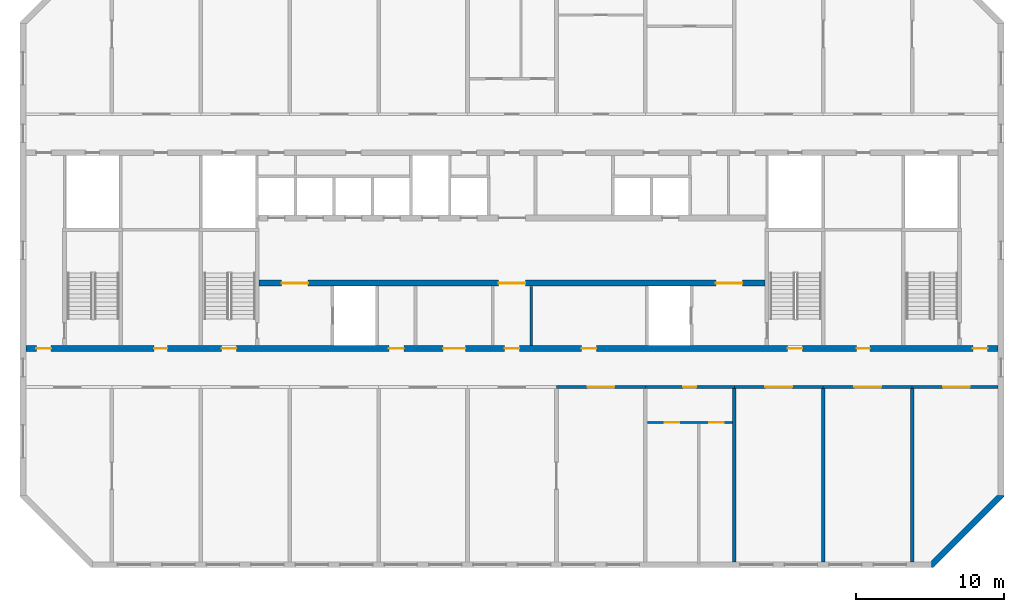
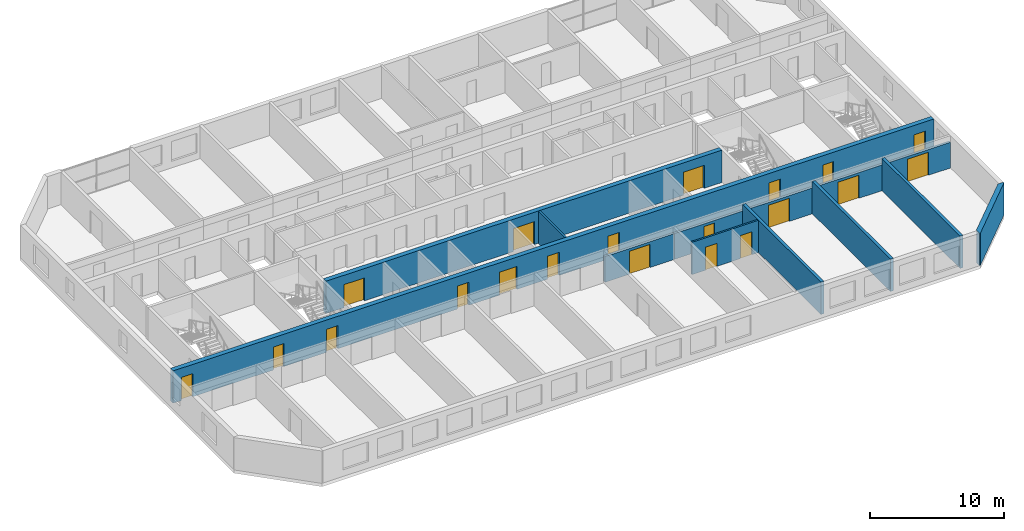
# One storey, part 7 of 13: 20 doors, 13 walls, 20 openings.
"""IFC4 building model written with IfcOpenShell, lengths in metres."""

from ifc_helpers import new_model, si_unit, direction, frame, frame_2d, origin, place, context, subcontext, project, spatial, polyline, rectangle, outline, extrude, material, layer, layer_set, type_object, element, fill, save


model = new_model("IFC4")

# Units and contexts
model_context = context("Model", 3, precision=1e-05, world=origin(), true_north=direction((0.0, 1.0)))
body_context = subcontext(model_context, "Body", "Model", "MODEL_VIEW")
ifc_project = project(units=[si_unit("LENGTHUNIT", "METRE"), si_unit("AREAUNIT", "SQUARE_METRE"), si_unit("VOLUMEUNIT", "CUBIC_METRE"), si_unit("PLANEANGLEUNIT", "RADIAN"), si_unit("MASSUNIT", "GRAM", prefix="KILO")], contexts=[model_context])

# Site, building, storey
site_placement = place(None, origin())
site = spatial("IfcSite", under=ifc_project, at=site_placement, CompositionType="ELEMENT")
building_placement = place(site_placement, origin())
building = spatial("IfcBuilding", under=site, at=building_placement, Name="Poui Terraces", CompositionType="ELEMENT")
storey_placement = place(building_placement, frame((0.0, 0.0, 211.5)))
storey = spatial("IfcBuildingStorey", under=building, at=storey_placement, Name="L59", CompositionType="ELEMENT", Elevation=211.5)

# Wall, openings, doors
ifc_material_1 = material(Name="Concrete 50 MPa", Category="concrete")
ifc_layer_1 = layer(ifc_material_1, 0.39990234375)
ifc_layer_set_1 = layer_set([ifc_layer_1], Name="Concrete 50 MPa")
wall_type_1 = type_object("IfcWallType", Name="CORE WALL 400 50 MPA", PredefinedType="SOLIDWALL", material=ifc_layer_set_1)
wall_1_placement = place(storey_placement, frame((33.925048828125, 19.0, 0.0), z_axis=(0.0, 0.0, 1.0), x_axis=(1.0, 0.0, 0.0)))
wall_1 = element("IfcWall", 1, at=wall_1_placement, inside=storey, type_object=wall_type_1, Name="CORE WALL", PredefinedType="SOLIDWALL", context=body_context, shape_type="SweptSolid", body=[
    extrude(rectangle(XDim=34.14990234375, YDim=0.39990234375, at=frame_2d((17.074951171875, 0.0))), origin(), (0.0, 0.0, 1.0), 2.949951171875),
])
opening_1_placement = place(wall_1_placement, frame((16.175048828125, 0.0, 0.0)))
opening_1 = element("IfcOpeningElement", 2, at=opening_1_placement, cuts=wall_1, Name="Opening FDD60", PredefinedType="OPENING", context=body_context, shape_type="SweptSolid", body=[
    extrude(rectangle(XDim=1.800048828125, YDim=2.10009765625, at=frame_2d((0.89990234375, 1.050048828125))), frame((0.0, 0.2099609375, 0.0), z_axis=(0.0, -1.0, 0.0), x_axis=(1.0, 0.0, 0.0)), (0.0, 0.0, 1.0), 0.419921875),
])
opening_2_placement = place(wall_1_placement, frame((1.52490234375, 0.0, 0.0)))
opening_2 = element("IfcOpeningElement", 3, at=opening_2_placement, cuts=wall_1, Name="Opening FDD60", PredefinedType="OPENING", context=body_context, shape_type="SweptSolid", body=[
    extrude(rectangle(XDim=1.800048828125, YDim=2.10009765625, at=frame_2d((0.89990234375, 1.050048828125))), frame((0.0, 0.2099609375, 0.0), z_axis=(0.0, -1.0, 0.0), x_axis=(1.0, 0.0, 0.0)), (0.0, 0.0, 1.0), 0.419921875),
])
opening_3_placement = place(wall_1_placement, frame((30.824951171875, 0.0, 0.0)))
opening_3 = element("IfcOpeningElement", 4, at=opening_3_placement, cuts=wall_1, Name="Opening FDD60", PredefinedType="OPENING", context=body_context, shape_type="SweptSolid", body=[
    extrude(rectangle(XDim=1.800048828125, YDim=2.10009765625, at=frame_2d((0.89990234375, 1.050048828125))), frame((0.0, 0.2099609375, 0.0), z_axis=(0.0, -1.0, 0.0), x_axis=(1.0, 0.0, 0.0)), (0.0, 0.0, 1.0), 0.419921875),
])
ifc_material_2 = material(Name="Steel fire door", Category="steel")
door_type_1 = type_object("IfcDoorType", Name="DOUBLE LOBBY FIRE DOOR 1800 X 2100", OperationType="DOUBLE_DOOR_SINGLE_SWING", PredefinedType="DOOR", material=ifc_material_2)
door_1_placement = place(opening_1_placement, frame((1.800048828125, 0.0, 0.0), z_axis=(0.0, 0.0, 1.0), x_axis=(-1.0, 0.0, 0.0)))
door_1 = element("IfcDoor", 5, at=door_1_placement, inside=storey, type_object=door_type_1, Name="DOUBLE LOBBY FIRE DOOR 065", OperationType="DOUBLE_DOOR_SINGLE_SWING", OverallHeight=2.10009765625, OverallWidth=1.800048828125, PredefinedType="DOOR", context=body_context, shape_type="SweptSolid", body=[
    extrude(rectangle(XDim=1.800048828125, YDim=2.10009765625, at=frame_2d((0.89990234375, 1.050048828125))), frame((0.0, 0.02490234375, 0.0), z_axis=(0.0, -1.0, 0.0), x_axis=(1.0, 0.0, 0.0)), (0.0, 0.0, 1.0), 0.050048828125),
])
fill(opening_1, door_1)
door_2_placement = place(opening_2_placement, origin())
door_2 = element("IfcDoor", 6, at=door_2_placement, inside=storey, type_object=door_type_1, Name="DOUBLE LOBBY FIRE DOOR 067", OperationType="DOUBLE_DOOR_SINGLE_SWING", OverallHeight=2.10009765625, OverallWidth=1.800048828125, PredefinedType="DOOR", context=body_context, shape_type="SweptSolid", body=[
    extrude(rectangle(XDim=1.800048828125, YDim=2.10009765625, at=frame_2d((0.89990234375, 1.050048828125))), frame((0.0, 0.02490234375, 0.0), z_axis=(0.0, -1.0, 0.0), x_axis=(1.0, 0.0, 0.0)), (0.0, 0.0, 1.0), 0.050048828125),
])
fill(opening_2, door_2)
door_3_placement = place(opening_3_placement, origin())
door_3 = element("IfcDoor", 7, at=door_3_placement, inside=storey, type_object=door_type_1, Name="DOUBLE LOBBY FIRE DOOR 074", OperationType="DOUBLE_DOOR_SINGLE_SWING", OverallHeight=2.10009765625, OverallWidth=1.800048828125, PredefinedType="DOOR", context=body_context, shape_type="SweptSolid", body=[
    extrude(rectangle(XDim=1.800048828125, YDim=2.10009765625, at=frame_2d((0.89990234375, 1.050048828125))), frame((0.0, 0.02490234375, 0.0), z_axis=(0.0, -1.0, 0.0), x_axis=(1.0, 0.0, 0.0)), (0.0, 0.0, 1.0), 0.050048828125),
])
fill(opening_3, door_3)

ifc_material_3 = material(Name="Fire-rated plasterboard wall")
ifc_layer_2 = layer(ifc_material_3, 0.14990234375)
ifc_layer_set_2 = layer_set([ifc_layer_2], Name="Fire-rated plasterboard wall")
wall_type_2 = type_object("IfcWallType", Name="CORRIDOR WALL 150", PredefinedType="PARTITIONING", material=ifc_layer_set_2)
wall_2_placement = place(storey_placement, frame((60.135009765625, 9.60009765625, 0.0), z_axis=(0.0, 0.0, 1.0), x_axis=(1.0, 0.0, 0.0)))
wall_2 = element("IfcWall", 8, at=wall_2_placement, inside=storey, type_object=wall_type_2, Name="CORRIDOR WALL 150", PredefinedType="PARTITIONING", context=body_context, shape_type="SweptSolid", body=[
    extrude(rectangle(XDim=5.72998046875, YDim=0.14990234375, at=frame_2d((2.864990234375, 0.0))), origin(), (0.0, 0.0, 1.0), 2.949951171875),
])
opening_4_placement = place(wall_2_placement, frame((1.1650390625, 0.0, 0.0)))
opening_4 = element("IfcOpeningElement", 9, at=opening_4_placement, cuts=wall_2, Name="Opening D100", PredefinedType="OPENING", context=body_context, shape_type="SweptSolid", body=[
    extrude(rectangle(XDim=1.0, YDim=2.10009765625, at=frame_2d((0.5, 1.050048828125))), frame((0.0, 0.0849609375, 0.0), z_axis=(0.0, -1.0, 0.0), x_axis=(1.0, 0.0, 0.0)), (0.0, 0.0, 1.0), 0.169921875),
])
opening_5_placement = place(wall_2_placement, frame((4.1650390625, 0.0, 0.0)))
opening_5 = element("IfcOpeningElement", 10, at=opening_5_placement, cuts=wall_2, Name="Opening D100", PredefinedType="OPENING", context=body_context, shape_type="SweptSolid", body=[
    extrude(rectangle(XDim=1.0, YDim=2.10009765625, at=frame_2d((0.5, 1.050048828125))), frame((0.0, 0.0849609375, 0.0), z_axis=(0.0, -1.0, 0.0), x_axis=(1.0, 0.0, 0.0)), (0.0, 0.0, 1.0), 0.169921875),
])
ifc_material_4 = material(Name="Solid core timber door", Category="wood")
door_type_2 = type_object("IfcDoorType", Name="ACCESSIBLE INTERNAL DOOR 1000 X 2100", OperationType="NOTDEFINED", PredefinedType="DOOR", material=ifc_material_4)
door_4_placement = place(opening_4_placement, origin())
door_4 = element("IfcDoor", 11, at=door_4_placement, inside=storey, type_object=door_type_2, Name="ACCESSIBLE INTERNAL DOOR 058", OperationType="SINGLE_SWING_RIGHT", OverallHeight=2.10009765625, OverallWidth=1.0, PredefinedType="DOOR", context=body_context, shape_type="SweptSolid", body=[
    extrude(rectangle(XDim=1.0, YDim=2.10009765625, at=frame_2d((0.5, 1.050048828125))), frame((0.0, 0.02490234375, 0.0), z_axis=(0.0, -1.0, 0.0), x_axis=(1.0, 0.0, 0.0)), (0.0, 0.0, 1.0), 0.050048828125),
])
fill(opening_4, door_4)
door_5_placement = place(opening_5_placement, origin())
door_5 = element("IfcDoor", 12, at=door_5_placement, inside=storey, type_object=door_type_2, Name="ACCESSIBLE INTERNAL DOOR 059", OperationType="SINGLE_SWING_LEFT", OverallHeight=2.10009765625, OverallWidth=1.0, PredefinedType="DOOR", context=body_context, shape_type="SweptSolid", body=[
    extrude(rectangle(XDim=1.0, YDim=2.10009765625, at=frame_2d((0.5, 1.050048828125))), frame((0.0, 0.02490234375, 0.0), z_axis=(0.0, -1.0, 0.0), x_axis=(1.0, 0.0, 0.0)), (0.0, 0.0, 1.0), 0.050048828125),
])
fill(opening_5, door_5)

# Wall
wall_3_placement = place(storey_placement, frame((52.300048828125, 14.81005859375, 0.0), z_axis=(0.0, 0.0, 1.0), x_axis=(0.0, 1.0, 0.0)))
element("IfcWall", 13, at=wall_3_placement, inside=storey, type_object=wall_type_2, Name="CORRIDOR WALL 150", PredefinedType="PARTITIONING", context=body_context, shape_type="SweptSolid", body=[
    extrude(rectangle(XDim=3.97998046875, YDim=0.14990234375, at=frame_2d((1.989990234375, 0.0))), origin(), (0.0, 0.0, 1.0), 2.949951171875),
])

# Wall, opening, door
ifc_layer_3 = layer(ifc_material_1, 0.199951171875)
ifc_layer_set_3 = layer_set([ifc_layer_3], Name="Concrete 50 MPa")
wall_type_3 = type_object("IfcWallType", Name="CORRIDOR WALL 200 50MPa", PredefinedType="SHEAR", material=ifc_layer_set_3)
wall_4_placement = place(storey_placement, frame((54.0, 12.0, 0.0), z_axis=(0.0, 0.0, 1.0), x_axis=(1.0, 0.0, 0.0)))
wall_4 = element("IfcWall", 14, at=wall_4_placement, inside=storey, type_object=wall_type_3, Name="CORRIDOR WALL LINE B BAY 7", PredefinedType="SHEAR", context=body_context, shape_type="SweptSolid", body=[
    extrude(rectangle(XDim=6.0, YDim=0.199951171875, at=frame_2d((3.0, 0.0))), origin(), (0.0, 0.0, 1.0), 2.35009765625),
])
opening_6_placement = place(wall_4_placement, frame((2.10009765625, 0.0, 0.0)))
opening_6 = element("IfcOpeningElement", 15, at=opening_6_placement, cuts=wall_4, Name="Opening DD180", PredefinedType="OPENING", context=body_context, shape_type="SweptSolid", body=[
    extrude(rectangle(XDim=1.800048828125, YDim=2.10009765625, at=frame_2d((0.89990234375, 1.050048828125))), frame((0.0, 0.10986328125, 0.0), z_axis=(0.0, -1.0, 0.0), x_axis=(1.0, 0.0, 0.0)), (0.0, 0.0, 1.0), 0.219970703125),
])
door_type_3 = type_object("IfcDoorType", Name="DOUBLE INTERNAL DOOR 1800 X 2100", OperationType="DOUBLE_DOOR_SINGLE_SWING", PredefinedType="DOOR", material=ifc_material_2)
door_6_placement = place(opening_6_placement, origin())
door_6 = element("IfcDoor", 16, at=door_6_placement, inside=storey, type_object=door_type_3, Name="DOUBLE INTERNAL DOOR 041", OperationType="DOUBLE_DOOR_SINGLE_SWING", OverallHeight=2.10009765625, OverallWidth=1.800048828125, PredefinedType="DOOR", context=body_context, shape_type="SweptSolid", body=[
    extrude(rectangle(XDim=1.800048828125, YDim=2.10009765625, at=frame_2d((0.89990234375, 1.050048828125))), frame((0.0, 0.02490234375, 0.0), z_axis=(0.0, -1.0, 0.0), x_axis=(1.0, 0.0, 0.0)), (0.0, 0.0, 1.0), 0.050048828125),
])
fill(opening_6, door_6)

wall_5_placement = place(storey_placement, frame((60.0, 12.0, 0.0), z_axis=(0.0, 0.0, 1.0), x_axis=(1.0, 0.0, 0.0)))
wall_5 = element("IfcWall", 17, at=wall_5_placement, inside=storey, type_object=wall_type_3, Name="CORRIDOR WALL LINE B BAY 8", PredefinedType="SHEAR", context=body_context, shape_type="SweptSolid", body=[
    extrude(rectangle(XDim=6.0, YDim=0.199951171875, at=frame_2d((3.0, 0.0))), origin(), (0.0, 0.0, 1.0), 2.35009765625),
])
opening_7_placement = place(wall_5_placement, frame((2.550048828125, 0.0, 0.0)))
opening_7 = element("IfcOpeningElement", 18, at=opening_7_placement, cuts=wall_5, Name="Opening D90", PredefinedType="OPENING", context=body_context, shape_type="SweptSolid", body=[
    extrude(rectangle(XDim=0.89990234375, YDim=2.10009765625, at=frame_2d((0.449951171875, 1.050048828125))), frame((0.0, 0.10986328125, 0.0), z_axis=(0.0, -1.0, 0.0), x_axis=(1.0, 0.0, 0.0)), (0.0, 0.0, 1.0), 0.219970703125),
])
door_type_4 = type_object("IfcDoorType", Name="INTERNAL DOOR 900 X 2100", OperationType="NOTDEFINED", PredefinedType="DOOR", material=ifc_material_4)
door_7_placement = place(opening_7_placement, origin())
door_7 = element("IfcDoor", 19, at=door_7_placement, inside=storey, type_object=door_type_4, Name="INTERNAL DOOR 042", OperationType="SINGLE_SWING_RIGHT", OverallHeight=2.10009765625, OverallWidth=0.89990234375, PredefinedType="DOOR", context=body_context, shape_type="SweptSolid", body=[
    extrude(rectangle(XDim=0.89990234375, YDim=2.10009765625, at=frame_2d((0.449951171875, 1.050048828125))), frame((0.0, 0.02490234375, 0.0), z_axis=(0.0, -1.0, 0.0), x_axis=(1.0, 0.0, 0.0)), (0.0, 0.0, 1.0), 0.050048828125),
])
fill(opening_7, door_7)

wall_6_placement = place(storey_placement, frame((66.0, 12.0, 0.0), z_axis=(0.0, 0.0, 1.0), x_axis=(1.0, 0.0, 0.0)))
wall_6 = element("IfcWall", 20, at=wall_6_placement, inside=storey, type_object=wall_type_3, Name="CORRIDOR WALL LINE B BAY 9", PredefinedType="SHEAR", context=body_context, shape_type="SweptSolid", body=[
    extrude(rectangle(XDim=6.0, YDim=0.199951171875, at=frame_2d((3.0, 0.0))), origin(), (0.0, 0.0, 1.0), 2.35009765625),
])
opening_8_placement = place(wall_6_placement, frame((2.10009765625, 0.0, 0.0)))
opening_8 = element("IfcOpeningElement", 21, at=opening_8_placement, cuts=wall_6, Name="Opening DD180", PredefinedType="OPENING", context=body_context, shape_type="SweptSolid", body=[
    extrude(rectangle(XDim=1.800048828125, YDim=2.10009765625, at=frame_2d((0.89990234375, 1.050048828125))), frame((0.0, 0.10986328125, 0.0), z_axis=(0.0, -1.0, 0.0), x_axis=(1.0, 0.0, 0.0)), (0.0, 0.0, 1.0), 0.219970703125),
])
door_8_placement = place(opening_8_placement, origin())
door_8 = element("IfcDoor", 22, at=door_8_placement, inside=storey, type_object=door_type_3, Name="DOUBLE INTERNAL DOOR 043", OperationType="DOUBLE_DOOR_SINGLE_SWING", OverallHeight=2.10009765625, OverallWidth=1.800048828125, PredefinedType="DOOR", context=body_context, shape_type="SweptSolid", body=[
    extrude(rectangle(XDim=1.800048828125, YDim=2.10009765625, at=frame_2d((0.89990234375, 1.050048828125))), frame((0.0, 0.02490234375, 0.0), z_axis=(0.0, -1.0, 0.0), x_axis=(1.0, 0.0, 0.0)), (0.0, 0.0, 1.0), 0.050048828125),
])
fill(opening_8, door_8)

wall_7_placement = place(storey_placement, frame((72.0, 12.0, 0.0), z_axis=(0.0, 0.0, 1.0), x_axis=(1.0, 0.0, 0.0)))
wall_7 = element("IfcWall", 23, at=wall_7_placement, inside=storey, type_object=wall_type_3, Name="CORRIDOR WALL LINE B BAY 10", PredefinedType="SHEAR", context=body_context, shape_type="SweptSolid", body=[
    extrude(rectangle(XDim=6.0, YDim=0.199951171875, at=frame_2d((3.0, 0.0))), origin(), (0.0, 0.0, 1.0), 2.35009765625),
])
opening_9_placement = place(wall_7_placement, frame((2.10009765625, 0.0, 0.0)))
opening_9 = element("IfcOpeningElement", 24, at=opening_9_placement, cuts=wall_7, Name="Opening DD180", PredefinedType="OPENING", context=body_context, shape_type="SweptSolid", body=[
    extrude(rectangle(XDim=1.800048828125, YDim=2.10009765625, at=frame_2d((0.89990234375, 1.050048828125))), frame((0.0, 0.10986328125, 0.0), z_axis=(0.0, -1.0, 0.0), x_axis=(1.0, 0.0, 0.0)), (0.0, 0.0, 1.0), 0.219970703125),
])
door_9_placement = place(opening_9_placement, origin())
door_9 = element("IfcDoor", 25, at=door_9_placement, inside=storey, type_object=door_type_3, Name="DOUBLE INTERNAL DOOR 046", OperationType="DOUBLE_DOOR_SINGLE_SWING", OverallHeight=2.10009765625, OverallWidth=1.800048828125, PredefinedType="DOOR", context=body_context, shape_type="SweptSolid", body=[
    extrude(rectangle(XDim=1.800048828125, YDim=2.10009765625, at=frame_2d((0.89990234375, 1.050048828125))), frame((0.0, 0.02490234375, 0.0), z_axis=(0.0, -1.0, 0.0), x_axis=(1.0, 0.0, 0.0)), (0.0, 0.0, 1.0), 0.050048828125),
])
fill(opening_9, door_9)

wall_8_placement = place(storey_placement, frame((78.0, 12.0, 0.0), z_axis=(0.0, 0.0, 1.0), x_axis=(1.0, 0.0, 0.0)))
wall_8 = element("IfcWall", 26, at=wall_8_placement, inside=storey, type_object=wall_type_3, Name="CORRIDOR WALL LINE B BAY 11", PredefinedType="SHEAR", context=body_context, shape_type="SweptSolid", body=[
    extrude(rectangle(XDim=5.800048828125, YDim=0.199951171875, at=frame_2d((2.89990234375, 0.0))), origin(), (0.0, 0.0, 1.0), 2.35009765625),
])
opening_10_placement = place(wall_8_placement, frame((2.10009765625, 0.0, 0.0)))
opening_10 = element("IfcOpeningElement", 27, at=opening_10_placement, cuts=wall_8, Name="Opening DD180", PredefinedType="OPENING", context=body_context, shape_type="SweptSolid", body=[
    extrude(rectangle(XDim=1.800048828125, YDim=2.10009765625, at=frame_2d((0.89990234375, 1.050048828125))), frame((0.0, 0.10986328125, 0.0), z_axis=(0.0, -1.0, 0.0), x_axis=(1.0, 0.0, 0.0)), (0.0, 0.0, 1.0), 0.219970703125),
])
door_10_placement = place(opening_10_placement, origin())
door_10 = element("IfcDoor", 28, at=door_10_placement, inside=storey, type_object=door_type_3, Name="DOUBLE INTERNAL DOOR 047", OperationType="DOUBLE_DOOR_SINGLE_SWING", OverallHeight=2.10009765625, OverallWidth=1.800048828125, PredefinedType="DOOR", context=body_context, shape_type="SweptSolid", body=[
    extrude(rectangle(XDim=1.800048828125, YDim=2.10009765625, at=frame_2d((0.89990234375, 1.050048828125))), frame((0.0, 0.02490234375, 0.0), z_axis=(0.0, -1.0, 0.0), x_axis=(1.0, 0.0, 0.0)), (0.0, 0.0, 1.0), 0.050048828125),
])
fill(opening_10, door_10)

# Walls
ifc_layer_4 = layer(ifc_material_1, 0.25)
ifc_layer_set_4 = layer_set([ifc_layer_4], Name="Concrete 50 MPa")
wall_type_4 = type_object("IfcWallType", Name="CROSS WALL 250 50MPa", PredefinedType="SHEAR", material=ifc_layer_set_4)
for number, where, z_axis, x_axis, name in (
    (29, (66.0, 0.199951171875, 0.0), (0.0, 0.0, 1.0), (0.0, 1.0, 0.0), "CROSS WALL LINE 12 SOUTH"),
    (30, (72.0, 0.199951171875, 0.0), (0.0, 0.0, 1.0), (0.0, 1.0, 0.0), "CROSS WALL LINE 13 SOUTH"),
    (31, (78.0, 0.199951171875, 0.0), (0.0, 0.0, 1.0), (0.0, 1.0, 0.0), "CROSS WALL LINE 14 SOUTH"),
):
    element("IfcWall", number, at=place(storey_placement, frame(where, z_axis=z_axis, x_axis=x_axis)), inside=storey, type_object=wall_type_4, Name=name, PredefinedType="SHEAR", context=body_context, shape_type="SweptSolid", body=[
        extrude(rectangle(XDim=11.699951171875, YDim=0.25, at=frame_2d((5.85009765625, 0.0))), origin(), (0.0, 0.0, 1.0), 2.949951171875),
    ])

# Wall, openings, doors
ifc_layer_5 = layer(ifc_material_1, 0.39990234375)
ifc_layer_set_5 = layer_set([ifc_layer_5], Name="Concrete 50 MPa")
wall_type_5 = type_object("IfcWallType", Name="SPINE WALL 400 50 MPA", PredefinedType="SOLIDWALL", material=ifc_layer_set_5)
wall_9_placement = place(storey_placement, frame((18.199951171875, 14.60009765625, 0.0), z_axis=(0.0, 0.0, 1.0), x_axis=(1.0, 0.0, 0.0)))
wall_9 = element("IfcWall", 32, at=wall_9_placement, inside=storey, type_object=wall_type_5, Name="SPINE WALL", PredefinedType="SOLIDWALL", context=body_context, shape_type="SweptSolid", body=[
    extrude(rectangle(XDim=65.60009765625, YDim=0.39990234375, at=frame_2d((32.800048828125, 0.0))), origin(), (0.0, 0.0, 1.0), 2.949951171875),
])
opening_11_placement = place(wall_9_placement, frame((0.699951171875, 0.0, 0.0)))
opening_11 = element("IfcOpeningElement", 33, at=opening_11_placement, cuts=wall_9, Name="Opening FDL", PredefinedType="OPENING", context=body_context, shape_type="SweptSolid", body=[
    extrude(rectangle(XDim=1.0, YDim=2.10009765625, at=frame_2d((0.5, 1.050048828125))), frame((0.0, 0.2099609375, 0.0), z_axis=(0.0, -1.0, 0.0), x_axis=(1.0, 0.0, 0.0)), (0.0, 0.0, 1.0), 0.419921875),
])
opening_12_placement = place(wall_9_placement, frame((8.64990234375, 0.0, 0.0)))
opening_12 = element("IfcOpeningElement", 34, at=opening_12_placement, cuts=wall_9, Name="Opening D90", PredefinedType="OPENING", context=body_context, shape_type="SweptSolid", body=[
    extrude(rectangle(XDim=0.89990234375, YDim=2.10009765625, at=frame_2d((0.449951171875, 1.050048828125))), frame((0.0, 0.2099609375, 0.0), z_axis=(0.0, -1.0, 0.0), x_axis=(1.0, 0.0, 0.0)), (0.0, 0.0, 1.0), 0.419921875),
])
opening_13_placement = place(wall_9_placement, frame((13.199951171875, 0.0, 0.0)))
opening_13 = element("IfcOpeningElement", 35, at=opening_13_placement, cuts=wall_9, Name="Opening FD60S", PredefinedType="OPENING", context=body_context, shape_type="SweptSolid", body=[
    extrude(rectangle(XDim=1.0, YDim=2.10009765625, at=frame_2d((0.5, 1.050048828125))), frame((0.0, 0.2099609375, 0.0), z_axis=(0.0, -1.0, 0.0), x_axis=(1.0, 0.0, 0.0)), (0.0, 0.0, 1.0), 0.419921875),
])
opening_14_placement = place(wall_9_placement, frame((24.5, 0.0, 0.0)))
opening_14 = element("IfcOpeningElement", 36, at=opening_14_placement, cuts=wall_9, Name="Opening FD60", PredefinedType="OPENING", context=body_context, shape_type="SweptSolid", body=[
    extrude(rectangle(XDim=1.0, YDim=2.10009765625, at=frame_2d((0.5, 1.050048828125))), frame((0.0, 0.2099609375, 0.0), z_axis=(0.0, -1.0, 0.0), x_axis=(1.0, 0.0, 0.0)), (0.0, 0.0, 1.0), 0.419921875),
])
opening_15_placement = place(wall_9_placement, frame((28.14990234375, 0.0, 0.0)))
opening_15 = element("IfcOpeningElement", 37, at=opening_15_placement, cuts=wall_9, Name="Opening FDP", PredefinedType="OPENING", context=body_context, shape_type="SweptSolid", body=[
    extrude(rectangle(XDim=1.5, YDim=2.10009765625, at=frame_2d((0.75, 1.050048828125))), frame((0.0, 0.2099609375, 0.0), z_axis=(0.0, -1.0, 0.0), x_axis=(1.0, 0.0, 0.0)), (0.0, 0.0, 1.0), 0.419921875),
])
opening_16_placement = place(wall_9_placement, frame((32.300048828125, 0.0, 0.0)))
opening_16 = element("IfcOpeningElement", 38, at=opening_16_placement, cuts=wall_9, Name="Opening FDL", PredefinedType="OPENING", context=body_context, shape_type="SweptSolid", body=[
    extrude(rectangle(XDim=1.0, YDim=2.10009765625, at=frame_2d((0.5, 1.050048828125))), frame((0.0, 0.2099609375, 0.0), z_axis=(0.0, -1.0, 0.0), x_axis=(1.0, 0.0, 0.0)), (0.0, 0.0, 1.0), 0.419921875),
])
opening_17_placement = place(wall_9_placement, frame((37.5, 0.0, 0.0)))
opening_17 = element("IfcOpeningElement", 39, at=opening_17_placement, cuts=wall_9, Name="Opening FD60", PredefinedType="OPENING", context=body_context, shape_type="SweptSolid", body=[
    extrude(rectangle(XDim=1.0, YDim=2.10009765625, at=frame_2d((0.5, 1.050048828125))), frame((0.0, 0.2099609375, 0.0), z_axis=(0.0, -1.0, 0.0), x_axis=(1.0, 0.0, 0.0)), (0.0, 0.0, 1.0), 0.419921875),
])
opening_18_placement = place(wall_9_placement, frame((51.39990234375, 0.0, 0.0)))
opening_18 = element("IfcOpeningElement", 40, at=opening_18_placement, cuts=wall_9, Name="Opening FD60S", PredefinedType="OPENING", context=body_context, shape_type="SweptSolid", body=[
    extrude(rectangle(XDim=1.0, YDim=2.10009765625, at=frame_2d((0.5, 1.050048828125))), frame((0.0, 0.2099609375, 0.0), z_axis=(0.0, -1.0, 0.0), x_axis=(1.0, 0.0, 0.0)), (0.0, 0.0, 1.0), 0.419921875),
])
opening_19_placement = place(wall_9_placement, frame((56.050048828125, 0.0, 0.0)))
opening_19 = element("IfcOpeningElement", 41, at=opening_19_placement, cuts=wall_9, Name="Opening D90", PredefinedType="OPENING", context=body_context, shape_type="SweptSolid", body=[
    extrude(rectangle(XDim=0.89990234375, YDim=2.10009765625, at=frame_2d((0.449951171875, 1.050048828125))), frame((0.0, 0.2099609375, 0.0), z_axis=(0.0, -1.0, 0.0), x_axis=(1.0, 0.0, 0.0)), (0.0, 0.0, 1.0), 0.419921875),
])
opening_20_placement = place(wall_9_placement, frame((63.89990234375, 0.0, 0.0)))
opening_20 = element("IfcOpeningElement", 42, at=opening_20_placement, cuts=wall_9, Name="Opening FDL", PredefinedType="OPENING", context=body_context, shape_type="SweptSolid", body=[
    extrude(rectangle(XDim=1.0, YDim=2.10009765625, at=frame_2d((0.5, 1.050048828125))), frame((0.0, 0.2099609375, 0.0), z_axis=(0.0, -1.0, 0.0), x_axis=(1.0, 0.0, 0.0)), (0.0, 0.0, 1.0), 0.419921875),
])
door_11_placement = place(opening_12_placement, frame((0.89990234375, 0.0, 0.0), z_axis=(0.0, 0.0, 1.0), x_axis=(-1.0, 0.0, 0.0)))
door_11 = element("IfcDoor", 43, at=door_11_placement, inside=storey, type_object=door_type_4, Name="INTERNAL DOOR 031", OperationType="SINGLE_SWING_LEFT", OverallHeight=2.10009765625, OverallWidth=0.89990234375, PredefinedType="DOOR", context=body_context, shape_type="SweptSolid", body=[
    extrude(rectangle(XDim=0.89990234375, YDim=2.10009765625, at=frame_2d((0.449951171875, 1.050048828125))), frame((0.0, 0.02490234375, 0.0), z_axis=(0.0, -1.0, 0.0), x_axis=(1.0, 0.0, 0.0)), (0.0, 0.0, 1.0), 0.050048828125),
])
fill(opening_12, door_11)
door_12_placement = place(opening_19_placement, frame((0.89990234375, 0.0, 0.0), z_axis=(0.0, 0.0, 1.0), x_axis=(-1.0, 0.0, 0.0)))
door_12 = element("IfcDoor", 44, at=door_12_placement, inside=storey, type_object=door_type_4, Name="INTERNAL DOOR 045", OperationType="SINGLE_SWING_LEFT", OverallHeight=2.10009765625, OverallWidth=0.89990234375, PredefinedType="DOOR", context=body_context, shape_type="SweptSolid", body=[
    extrude(rectangle(XDim=0.89990234375, YDim=2.10009765625, at=frame_2d((0.449951171875, 1.050048828125))), frame((0.0, 0.02490234375, 0.0), z_axis=(0.0, -1.0, 0.0), x_axis=(1.0, 0.0, 0.0)), (0.0, 0.0, 1.0), 0.050048828125),
])
fill(opening_19, door_12)
door_type_5 = type_object("IfcDoorType", Name="LOBBY FIRE DOOR 1000 X 2100", OperationType="NOTDEFINED", PredefinedType="DOOR", material=ifc_material_2)
door_13_placement = place(opening_11_placement, frame((1.0, 0.0, 0.0), z_axis=(0.0, 0.0, 1.0), x_axis=(-1.0, 0.0, 0.0)))
door_13 = element("IfcDoor", 45, at=door_13_placement, inside=storey, type_object=door_type_5, Name="LOBBY FIRE DOOR 028", OperationType="SINGLE_SWING_RIGHT", OverallHeight=2.10009765625, OverallWidth=1.0, PredefinedType="DOOR", context=body_context, shape_type="SweptSolid", body=[
    extrude(rectangle(XDim=1.0, YDim=2.10009765625, at=frame_2d((0.5, 1.050048828125))), frame((0.0, 0.02490234375, 0.0), z_axis=(0.0, -1.0, 0.0), x_axis=(1.0, 0.0, 0.0)), (0.0, 0.0, 1.0), 0.050048828125),
])
fill(opening_11, door_13)
door_14_placement = place(opening_16_placement, frame((1.0, 0.0, 0.0), z_axis=(0.0, 0.0, 1.0), x_axis=(-1.0, 0.0, 0.0)))
door_14 = element("IfcDoor", 46, at=door_14_placement, inside=storey, type_object=door_type_5, Name="LOBBY FIRE DOOR 039", OperationType="SINGLE_SWING_LEFT", OverallHeight=2.10009765625, OverallWidth=1.0, PredefinedType="DOOR", context=body_context, shape_type="SweptSolid", body=[
    extrude(rectangle(XDim=1.0, YDim=2.10009765625, at=frame_2d((0.5, 1.050048828125))), frame((0.0, 0.02490234375, 0.0), z_axis=(0.0, -1.0, 0.0), x_axis=(1.0, 0.0, 0.0)), (0.0, 0.0, 1.0), 0.050048828125),
])
fill(opening_16, door_14)
door_15_placement = place(opening_20_placement, frame((1.0, 0.0, 0.0), z_axis=(0.0, 0.0, 1.0), x_axis=(-1.0, 0.0, 0.0)))
door_15 = element("IfcDoor", 47, at=door_15_placement, inside=storey, type_object=door_type_5, Name="LOBBY FIRE DOOR 048", OperationType="SINGLE_SWING_LEFT", OverallHeight=2.10009765625, OverallWidth=1.0, PredefinedType="DOOR", context=body_context, shape_type="SweptSolid", body=[
    extrude(rectangle(XDim=1.0, YDim=2.10009765625, at=frame_2d((0.5, 1.050048828125))), frame((0.0, 0.02490234375, 0.0), z_axis=(0.0, -1.0, 0.0), x_axis=(1.0, 0.0, 0.0)), (0.0, 0.0, 1.0), 0.050048828125),
])
fill(opening_20, door_15)
door_type_6 = type_object("IfcDoorType", Name="PLANT ROOM DOOR PAIR 1500 X 2100", OperationType="DOUBLE_DOOR_SINGLE_SWING", PredefinedType="DOOR", material=ifc_material_2)
door_16_placement = place(opening_15_placement, frame((1.5, 0.0, 0.0), z_axis=(0.0, 0.0, 1.0), x_axis=(-1.0, 0.0, 0.0)))
door_16 = element("IfcDoor", 48, at=door_16_placement, inside=storey, type_object=door_type_6, Name="PLANT ROOM DOOR PAIR 037", OperationType="DOUBLE_DOOR_SINGLE_SWING", OverallHeight=2.10009765625, OverallWidth=1.5, PredefinedType="DOOR", context=body_context, shape_type="SweptSolid", body=[
    extrude(rectangle(XDim=1.5, YDim=2.10009765625, at=frame_2d((0.75, 1.050048828125))), frame((0.0, 0.02490234375, 0.0), z_axis=(0.0, -1.0, 0.0), x_axis=(1.0, 0.0, 0.0)), (0.0, 0.0, 1.0), 0.050048828125),
])
fill(opening_15, door_16)
door_type_7 = type_object("IfcDoorType", Name="SERVICE ROOM FIRE DOOR 1000 X 2100", OperationType="NOTDEFINED", PredefinedType="DOOR", material=ifc_material_2)
door_17_placement = place(opening_14_placement, frame((1.0, 0.0, 0.0), z_axis=(0.0, 0.0, 1.0), x_axis=(-1.0, 0.0, 0.0)))
door_17 = element("IfcDoor", 49, at=door_17_placement, inside=storey, type_object=door_type_7, Name="SERVICE ROOM FIRE DOOR 035", OperationType="SINGLE_SWING_LEFT", OverallHeight=2.10009765625, OverallWidth=1.0, PredefinedType="DOOR", context=body_context, shape_type="SweptSolid", body=[
    extrude(rectangle(XDim=1.0, YDim=2.10009765625, at=frame_2d((0.5, 1.050048828125))), frame((0.0, 0.02490234375, 0.0), z_axis=(0.0, -1.0, 0.0), x_axis=(1.0, 0.0, 0.0)), (0.0, 0.0, 1.0), 0.050048828125),
])
fill(opening_14, door_17)
door_18_placement = place(opening_17_placement, frame((1.0, 0.0, 0.0), z_axis=(0.0, 0.0, 1.0), x_axis=(-1.0, 0.0, 0.0)))
door_18 = element("IfcDoor", 50, at=door_18_placement, inside=storey, type_object=door_type_7, Name="SERVICE ROOM FIRE DOOR 040", OperationType="SINGLE_SWING_LEFT", OverallHeight=2.10009765625, OverallWidth=1.0, PredefinedType="DOOR", context=body_context, shape_type="SweptSolid", body=[
    extrude(rectangle(XDim=1.0, YDim=2.10009765625, at=frame_2d((0.5, 1.050048828125))), frame((0.0, 0.02490234375, 0.0), z_axis=(0.0, -1.0, 0.0), x_axis=(1.0, 0.0, 0.0)), (0.0, 0.0, 1.0), 0.050048828125),
])
fill(opening_17, door_18)
door_type_8 = type_object("IfcDoorType", Name="STAIR DOOR 1000 X 2100", OperationType="NOTDEFINED", PredefinedType="DOOR", material=ifc_material_2)
door_19_placement = place(opening_13_placement, origin())
door_19 = element("IfcDoor", 51, at=door_19_placement, inside=storey, type_object=door_type_8, Name="STAIR DOOR 032", OperationType="SINGLE_SWING_RIGHT", OverallHeight=2.10009765625, OverallWidth=1.0, PredefinedType="DOOR", context=body_context, shape_type="SweptSolid", body=[
    extrude(rectangle(XDim=1.0, YDim=2.10009765625, at=frame_2d((0.5, 1.050048828125))), frame((0.0, 0.02490234375, 0.0), z_axis=(0.0, -1.0, 0.0), x_axis=(1.0, 0.0, 0.0)), (0.0, 0.0, 1.0), 0.050048828125),
])
fill(opening_13, door_19)
door_20_placement = place(opening_18_placement, origin())
door_20 = element("IfcDoor", 52, at=door_20_placement, inside=storey, type_object=door_type_8, Name="STAIR DOOR 044", OperationType="SINGLE_SWING_RIGHT", OverallHeight=2.10009765625, OverallWidth=1.0, PredefinedType="DOOR", context=body_context, shape_type="SweptSolid", body=[
    extrude(rectangle(XDim=1.0, YDim=2.10009765625, at=frame_2d((0.5, 1.050048828125))), frame((0.0, 0.02490234375, 0.0), z_axis=(0.0, -1.0, 0.0), x_axis=(1.0, 0.0, 0.0)), (0.0, 0.0, 1.0), 0.050048828125),
])
fill(opening_18, door_20)

# Wall
ifc_material_5 = material(Name="Precast concrete 40 MPa", Category="concrete")
ifc_layer_6 = layer(ifc_material_5, 0.39990234375)
ifc_layer_set_6 = layer_set([ifc_layer_6], Name="Precast concrete 40 MPa")
wall_type_6 = type_object("IfcWallType", Name="TERRACOTTA CLAD CHAMFER WALL 400", PredefinedType="STANDARD", material=ifc_layer_set_6)
wall_10_placement = place(storey_placement, origin())
element("IfcWall", 53, at=wall_10_placement, inside=storey, type_object=wall_type_6, Name="CHAMFER WALL CH01", PredefinedType="STANDARD", context=body_context, shape_type="SweptSolid", body=[
    extrude(outline(polyline([(79.317138671875, -0.199951171875), (79.39990234375, -0.199951171875), (84.199951171875, 4.60009765625), (84.199951171875, 4.682861328125), (83.71728515625, 4.682861328125), (79.317138671875, 0.28271484375), (79.317138671875, -0.199951171875)])), origin(), (0.0, 0.0, 1.0), 2.949951171875),
])

save(model, "model.ifc")
